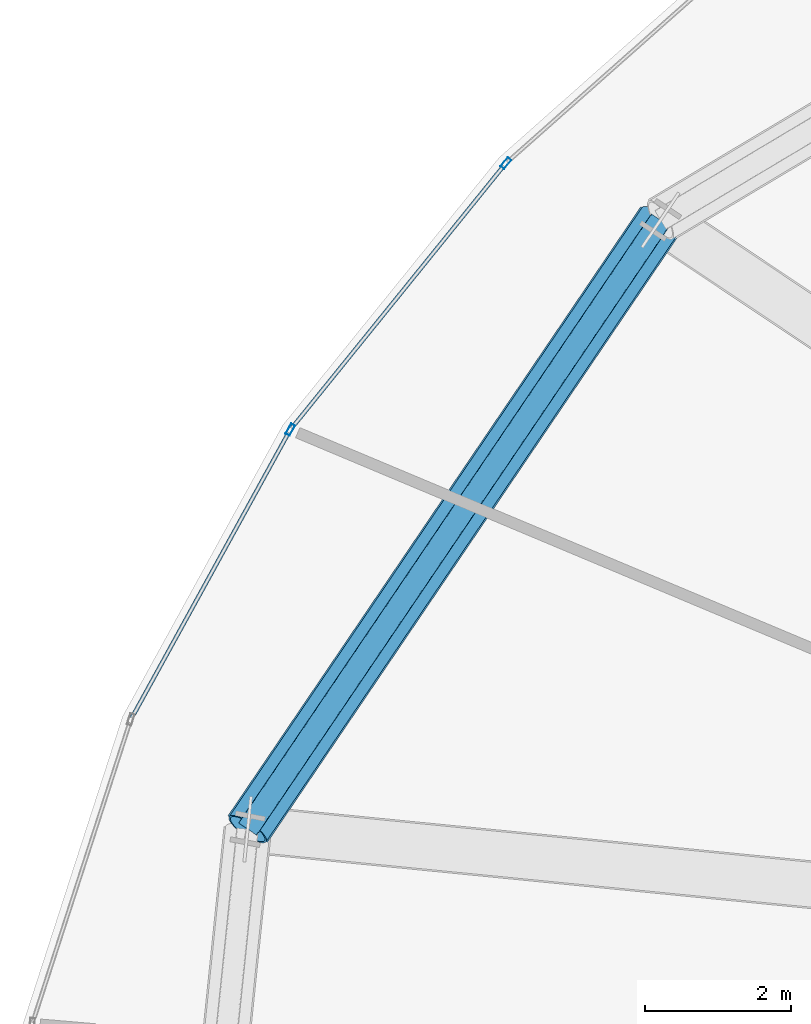
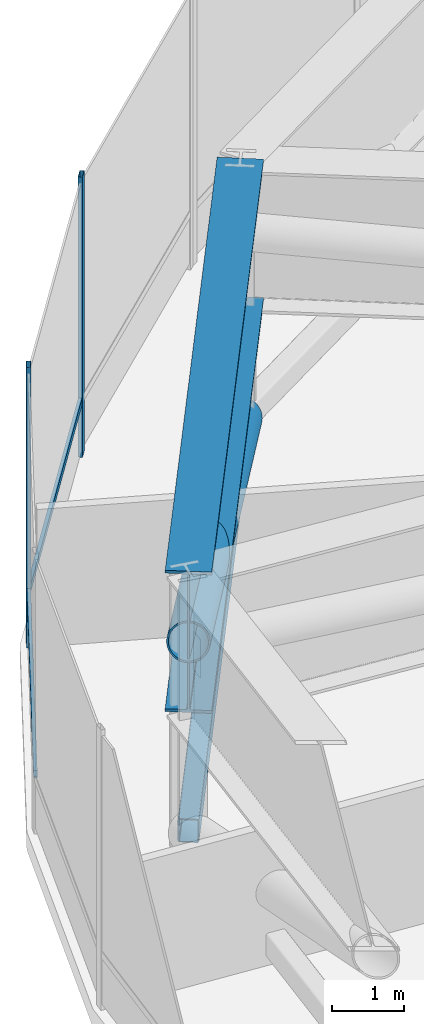
# One storey, part 16 of 33: 6 members, 1 beam, 1 element without a shape of its own.
"""IFC4 building model written with IfcOpenShell, lengths in metres."""

from ifc_helpers import new_model, si_unit, direction, frame, origin, origin_2d, place, context, subcontext, project, spatial, hollow_rectangle, hollow_circle, i_section, extrude, source, transform, mapped, material, layer, layer_set, material_profile, profile_set, type_object, element, aggregate, save


model = new_model("IFC4")

# Units and contexts
model_context = context("Model", 3, precision=1e-05, world=origin(), true_north=direction((0.0, 1.0)))
body_context = subcontext(model_context, "Body", "Model", "MODEL_VIEW")
ifc_project = project(units=[si_unit("LENGTHUNIT", "METRE"), si_unit("AREAUNIT", "SQUARE_METRE"), si_unit("VOLUMEUNIT", "CUBIC_METRE"), si_unit("PLANEANGLEUNIT", "RADIAN"), si_unit("MASSUNIT", "GRAM", prefix="KILO"), si_unit("THERMODYNAMICTEMPERATUREUNIT", "KELVIN")], contexts=[model_context])

# Site, building, storey
site_placement = place(None, origin())
site = spatial("IfcSite", under=ifc_project, at=site_placement, CompositionType="ELEMENT")
building_placement = place(site_placement, origin())
building = spatial("IfcBuilding", under=site, at=building_placement, Name="Kethvar Cultural Tower", CompositionType="ELEMENT")
storey_placement = place(building_placement, frame((0.0, 0.0, 80.39990234375)))
storey = spatial("IfcBuildingStorey", under=building, at=storey_placement, Name="L19", CompositionType="ELEMENT", Elevation=80.39990234375)

# Beam
ifc_material_1 = material(Name="Steel S460M", Category="steel")
ifc_material_profile_1 = material_profile(ifc_material_1, i_section(OverallWidth=0.64990234375, OverallDepth=2.39990234375, WebThickness=0.030029296875, FlangeThickness=0.048095703125, FilletRadius=0.02197265625, at=origin_2d()), Name="Steel S460M — PG2400x650x48x30")
ifc_profile_set_1 = profile_set([ifc_material_profile_1], Name="Steel S460M — PG2400x650x48x30")
beam_type = type_object("IfcBeamType", Name="BM-TR2400", PredefinedType="BEAM", material=ifc_profile_set_1)
shared_shape_1 = source(origin(), body_context, "Body", "SweptSolid", [
    extrude(i_section(OverallWidth=0.64990234375, OverallDepth=2.39990234375, WebThickness=0.030029296875, FlangeThickness=0.048095703125, FilletRadius=0.02197265625, at=origin_2d()), origin(), (0.0, 0.0, 1.0), 10.048583984375),
])
beam_placement = place(storey_placement, frame((26.6845703125, 41.24072265625, 3.55810546875), z_axis=(-0.561025415443, -0.827798576483, 0.0), x_axis=(0.827798576483, -0.561025415443, 0.0)))
element("IfcBeam", 1, at=beam_placement, inside=storey, type_object=beam_type, Name="L19 Ring Belt Girder BG-07", PredefinedType="BEAM", context=body_context, shape_type="MappedRepresentation", body=[
    mapped(shared_shape_1, transform((0.0, 0.0, 0.0), scale=1.0)),
])

# Members
ifc_material_profile_2 = material_profile(ifc_material_1, hollow_rectangle(XDim=0.300048828125, YDim=0.39990234375, WallThickness=0.01611328125, InnerFilletRadius=0.01611328125, OuterFilletRadius=0.031982421875, at=origin_2d()), Name="Steel S460M — RHS400x300x16")
ifc_profile_set_2 = profile_set([ifc_material_profile_2], Name="Steel S460M — RHS400x300x16")
member_type_1 = type_object("IfcMemberType", Name="MB-CHD-400", PredefinedType="CHORD", material=ifc_profile_set_2)
shared_shape_2 = source(origin(), body_context, "Body", "SweptSolid", [
    extrude(hollow_rectangle(XDim=0.300048828125, YDim=0.39990234375, WallThickness=0.01611328125, InnerFilletRadius=0.01611328125, OuterFilletRadius=0.031982421875, at=origin_2d()), origin(), (0.0, 0.0, 1.0), 10.048583984375),
])
member_1_placement = place(storey_placement, frame((26.6845703125, 41.24072265625, 0.35009765625), z_axis=(-0.561025415443, -0.827798576483, 0.0), x_axis=(0.827798576483, -0.561025415443, 0.0)))
element("IfcMember", 2, at=member_1_placement, inside=storey, type_object=member_type_1, Name="L19 Ring Belt Bottom Chord BC-07", PredefinedType="CHORD", context=body_context, shape_type="MappedRepresentation", body=[
    mapped(shared_shape_2, transform((0.0, 0.0, 0.0), scale=1.0)),
])
ifc_material_profile_3 = material_profile(ifc_material_1, hollow_circle(Radius=0.304931640625, WallThickness=0.02490234375, at=origin_2d()), Name="Steel S460M — CHS610x25")
ifc_profile_set_3 = profile_set([ifc_material_profile_3], Name="Steel S460M — CHS610x25")
member_type_2 = type_object("IfcMemberType", Name="MB-OUT-610", PredefinedType="BRACE", material=ifc_profile_set_3)
shared_shape_3 = source(origin(), body_context, "Body", "SweptSolid", [
    extrude(hollow_circle(Radius=0.304931640625, WallThickness=0.02490234375, at=origin_2d()), origin(), (0.0, 0.0, 1.0), 10.548095703125),
])
member_2_placement = place(storey_placement, frame((26.6845703125, 41.24072265625, 0.35009765625), z_axis=(-0.534449898427, -0.788586136993, 0.30413025271), x_axis=(0.827798576483, -0.561025415443, 0.0)))
element("IfcMember", 3, at=member_2_placement, inside=storey, type_object=member_type_2, Name="L19 Ring Belt Diagonal BD-07", PredefinedType="BRACE", context=body_context, shape_type="MappedRepresentation", body=[
    mapped(shared_shape_3, transform((0.0, 0.0, 0.0), scale=1.0)),
])

# Curtain wall, members
ifc_material_2 = material(Name="Aluminium 6063-T6", Category="aluminium")
ifc_layer = layer(ifc_material_2, 0.179931640625, Name="Aluminium 6063-T6", Category="aluminium")
ifc_layer_set = layer_set([ifc_layer], Name="Aluminium 6063-T6 (180 mm)")
curtain_wall_type = type_object("IfcCurtainWallType", Name="CW-SYS-02-Z1", PredefinedType="NOTDEFINED", material=ifc_layer_set)
curtain_wall_placement = place(storey_placement, origin())
curtain_wall = element("IfcCurtainWall", 4, at=curtain_wall_placement, inside=storey, type_object=curtain_wall_type, Name="L19 Curtain Wall Run 03", PredefinedType="NOTDEFINED")
ifc_material_profile_4 = material_profile(ifc_material_2, hollow_rectangle(XDim=0.06494140625, YDim=0.159912109375, WallThickness=0.0048828125, at=origin_2d()), Name="Aluminium 6063-T6 — RHS160x65x5")
ifc_profile_set_4 = profile_set([ifc_material_profile_4], Name="Aluminium 6063-T6 — RHS160x65x5")
member_type_3 = type_object("IfcMemberType", Name="CW-SYS-02-Z1-MUL", PredefinedType="MULLION", material=ifc_profile_set_4)
shared_shape_4 = source(origin(), body_context, "Body", "SweptSolid", [
    extrude(hollow_rectangle(XDim=0.06494140625, YDim=0.159912109375, WallThickness=0.0048828125, at=origin_2d()), origin(), (0.0, 0.0, 1.0), 4.760009765625),
])
member_3_placement = place(storey_placement, frame((24.572998046875, 42.01708984375, 0.0), z_axis=(0.0, 0.0, 1.0), x_axis=(0.777639988794, -0.628709828004, 0.0)))
member_3 = element("IfcMember", 5, at=member_3_placement, type_object=member_type_3, Name="CW-L19-R03 Mullion 2", PredefinedType="MULLION", context=body_context, shape_type="MappedRepresentation", body=[
    mapped(shared_shape_4, transform((0.0, 0.0, 0.0), scale=1.0)),
])
member_4_placement = place(storey_placement, frame((21.62939453125, 38.379150390625, 0.0), z_axis=(0.0, 0.0, 1.0), x_axis=(0.876281454279, -0.481799556752, 0.0)))
member_4 = element("IfcMember", 6, at=member_4_placement, type_object=member_type_3, Name="CW-L19-R03 Mullion 3", PredefinedType="MULLION", context=body_context, shape_type="MappedRepresentation", body=[
    mapped(shared_shape_4, transform((0.0, 0.0, 0.0), scale=1.0)),
])
ifc_material_profile_5 = material_profile(ifc_material_2, hollow_rectangle(XDim=0.054931640625, YDim=0.1201171875, WallThickness=0.00390625, at=origin_2d()), Name="Aluminium 6063-T6 — RHS120x55x4")
ifc_profile_set_5 = profile_set([ifc_material_profile_5], Name="Aluminium 6063-T6 — RHS120x55x4")
member_type_4 = type_object("IfcMemberType", Name="CW-SYS-02-Z1-TRN", PredefinedType="USERDEFINED", material=ifc_profile_set_5)
shared_shape_5 = source(origin(), body_context, "Body", "SweptSolid", [
    extrude(hollow_rectangle(XDim=0.054931640625, YDim=0.1201171875, WallThickness=0.00390625, at=origin_2d()), origin(), (0.0, 0.0, 1.0), 4.607421875),
])
member_5_placement = place(storey_placement, frame((24.54345703125, 41.980712890625, 0.9501953125), z_axis=(-0.628667606265, -0.777674122517, 0.0), x_axis=(0.777674122517, -0.628667606265, 0.0)))
member_5 = element("IfcMember", 7, at=member_5_placement, type_object=member_type_4, Name="CW-L19-R03 Transom 2", ObjectType="TRANSOM", PredefinedType="USERDEFINED", context=body_context, shape_type="MappedRepresentation", body=[
    mapped(shared_shape_5, transform((0.0, 0.0, 0.0), scale=1.0)),
])
shared_shape_6 = source(origin(), body_context, "Body", "SweptSolid", [
    extrude(hollow_rectangle(XDim=0.054931640625, YDim=0.1201171875, WallThickness=0.00390625, at=origin_2d()), origin(), (0.0, 0.0, 1.0), 4.44677734375),
])
member_6_placement = place(storey_placement, frame((21.606689453125, 38.338134765625, 0.9501953125), z_axis=(-0.481769104556, -0.876298196903, 0.0), x_axis=(0.876298196903, -0.481769104556, 0.0)))
member_6 = element("IfcMember", 8, at=member_6_placement, type_object=member_type_4, Name="CW-L19-R03 Transom 3", ObjectType="TRANSOM", PredefinedType="USERDEFINED", context=body_context, shape_type="MappedRepresentation", body=[
    mapped(shared_shape_6, transform((0.0, 0.0, 0.0), scale=1.0)),
])
aggregate(curtain_wall, [member_3, member_4, member_5, member_6])

save(model, "model.ifc")
